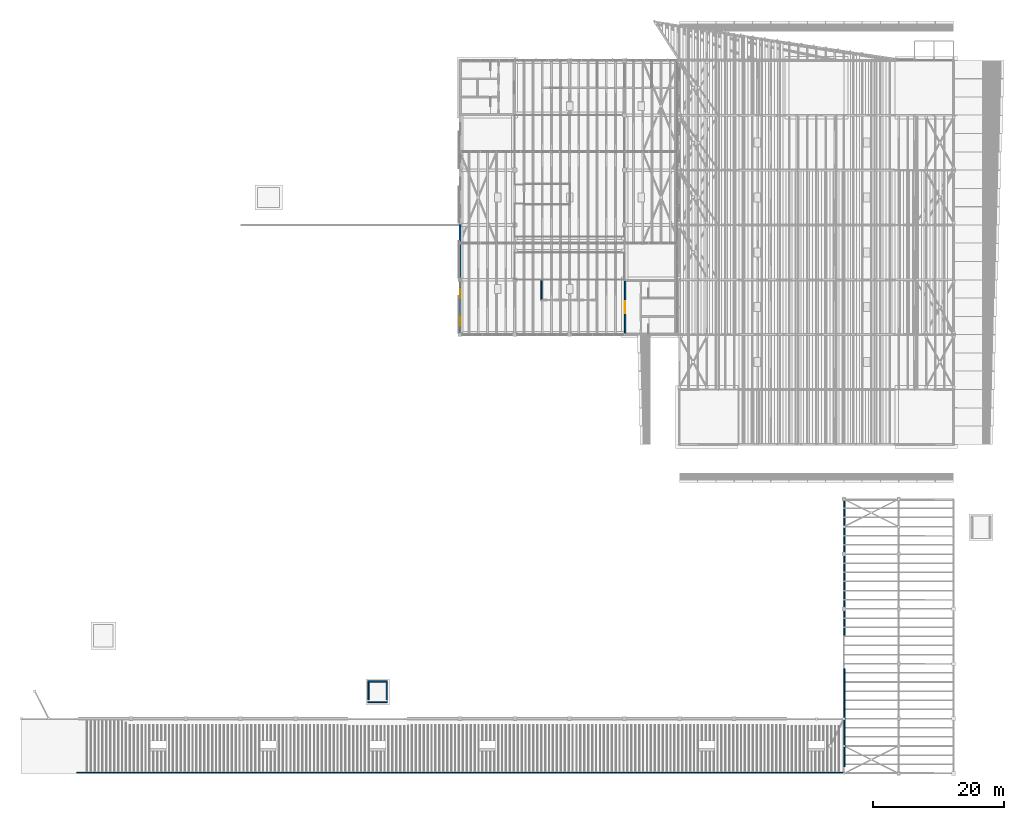
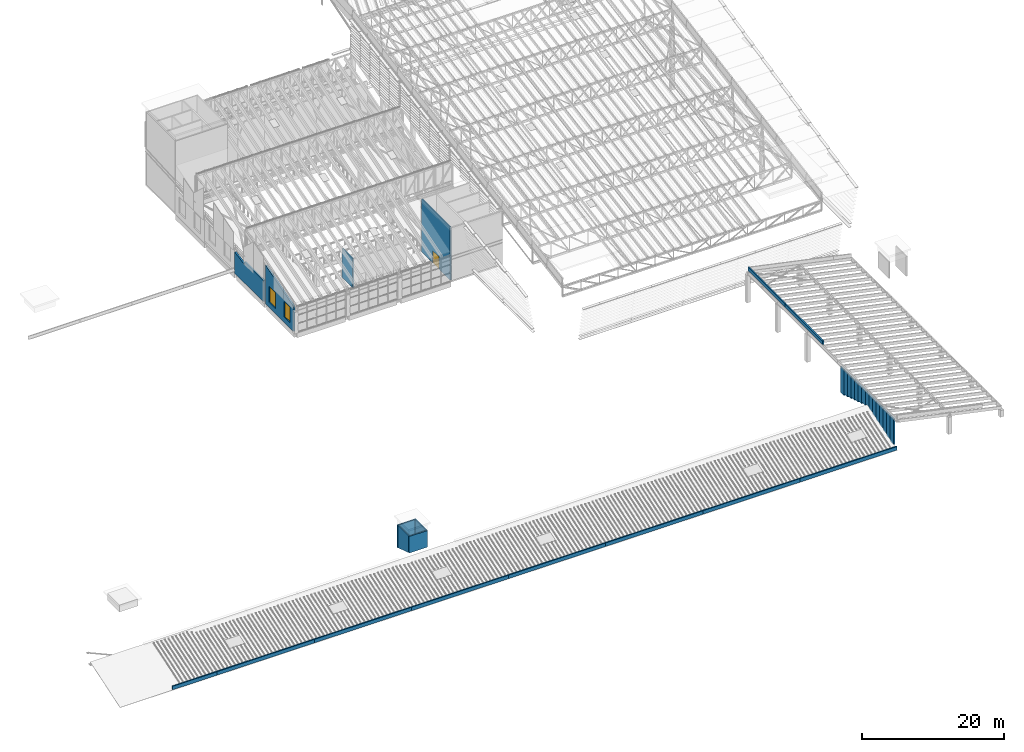
# One storey, part 63 of 91: 33 walls, 2 windows, 1 door, 3 openings.
"""IFC4 building model written with IfcOpenShell, lengths in metres."""

from ifc_helpers import new_model, si_unit, direction, frame, frame_2d, origin, place, context, subcontext, project, spatial, polyline, rectangle, outline, extrude, material, layer, layer_set, type_object, element, fill, save


model = new_model("IFC4")

# Units and contexts
model_context = context("Model", 3, precision=1e-05, world=origin(), true_north=direction((0.0, 1.0)))
body_context = subcontext(model_context, "Body", "Model", "MODEL_VIEW")
ifc_project = project(units=[si_unit("LENGTHUNIT", "METRE"), si_unit("AREAUNIT", "SQUARE_METRE"), si_unit("VOLUMEUNIT", "CUBIC_METRE"), si_unit("PLANEANGLEUNIT", "RADIAN"), si_unit("MASSUNIT", "GRAM", prefix="KILO")], contexts=[model_context])

# Site, building, storey
site_placement = place(None, origin())
site = spatial("IfcSite", under=ifc_project, at=site_placement, CompositionType="ELEMENT")
building_placement = place(site_placement, origin())
building = spatial("IfcBuilding", under=site, at=building_placement, Name="Almond Square Museum", CompositionType="ELEMENT")
storey_placement = place(building_placement, frame((0.0, 0.0, 30.0)))
storey = spatial("IfcBuildingStorey", under=building, at=storey_placement, Name="L05", CompositionType="ELEMENT", Elevation=30.0)

# Wall
ifc_material_1 = material(Name="Concrete C30/37", Category="concrete")
ifc_layer_1 = layer(ifc_material_1, 0.260009765625)
ifc_layer_set_1 = layer_set([ifc_layer_1], Name="Concrete C30/37")
wall_type_1 = type_object("IfcWallType", Name="Atrium gable wall 260 with timber fins", PredefinedType="SOLIDWALL", material=ifc_layer_set_1)
wall_1_placement = place(storey_placement, frame((73.199951171875, 75.89990234375, 0.0), z_axis=(0.0, 0.0, 1.0), x_axis=(0.0, 1.0, 0.0)))
element("IfcWall", 1, at=wall_1_placement, inside=storey, type_object=wall_type_1, Name="External wall W7 V2 L05 W03", PredefinedType="SOLIDWALL", context=body_context, shape_type="SweptSolid", body=[
    extrude(outline(polyline([(0.0, 0.0), (8.10009765625, 0.0), (8.10009765625, 3.643310546875), (5.301025390625, 3.137451171875), (5.299072265625, 3.643310546875), (0.0, 3.643310546875), (0.0, 0.0)])), frame((0.0, 0.1298828125, 0.0), z_axis=(0.0, -1.0, 0.0), x_axis=(1.0, 0.0, 0.0)), (0.0, 0.0, 1.0), 0.260009765625),
])

# Wall, openings, windows
wall_2_placement = place(storey_placement, frame((73.199951171875, 67.5, 0.0), z_axis=(0.0, 0.0, 1.0), x_axis=(0.0, 1.0, 0.0)))
wall_2 = element("IfcWall", 2, at=wall_2_placement, inside=storey, type_object=wall_type_1, Name="External wall W7 V2 L05 W04", PredefinedType="SOLIDWALL", context=body_context, shape_type="SweptSolid", body=[
    extrude(outline(polyline([(0.0, 0.0), (7.800048828125, 0.0), (7.800048828125, 6.639892578125), (0.0, 4.33154296875), (0.0, 0.0)])), frame((0.0, 0.1298828125, 0.0), z_axis=(0.0, -1.0, 0.0), x_axis=(1.0, 0.0, 0.0)), (0.0, 0.0, 1.0), 0.260009765625),
])
opening_1_placement = place(wall_2_placement, frame((0.89990234375, 0.0, 0.89990234375)))
opening_1 = element("IfcOpeningElement", 3, at=opening_1_placement, cuts=wall_2, Name="Opening W5011", PredefinedType="OPENING", context=body_context, shape_type="SweptSolid", body=[
    extrude(rectangle(XDim=1.800048828125, YDim=2.699951171875, at=frame_2d((0.89990234375, 1.35009765625))), frame((0.0, 0.139892578125, 0.0), z_axis=(0.0, -1.0, 0.0), x_axis=(1.0, 0.0, 0.0)), (0.0, 0.0, 1.0), 0.280029296875),
])
opening_2_placement = place(wall_2_placement, frame((5.10009765625, 0.0, 0.89990234375)))
opening_2 = element("IfcOpeningElement", 4, at=opening_2_placement, cuts=wall_2, Name="Opening W5012", PredefinedType="OPENING", context=body_context, shape_type="SweptSolid", body=[
    extrude(rectangle(XDim=1.800048828125, YDim=2.699951171875, at=frame_2d((0.89990234375, 1.35009765625))), frame((0.0, 0.139892578125, 0.0), z_axis=(0.0, -1.0, 0.0), x_axis=(1.0, 0.0, 0.0)), (0.0, 0.0, 1.0), 0.280029296875),
])
ifc_material_2 = material(Name="Aluminium frame and laminated glass", Category="aluminium")
window_type = type_object("IfcWindowType", Name="Fixed gallery window", PartitioningType="SINGLE_PANEL", PredefinedType="WINDOW", material=ifc_material_2)
window_1_placement = place(opening_1_placement, origin())
window_1 = element("IfcWindow", 5, at=window_1_placement, inside=storey, type_object=window_type, Name="Fixed gallery window W5011", OverallHeight=2.699951171875, OverallWidth=1.800048828125, PartitioningType="SINGLE_PANEL", PredefinedType="WINDOW", context=body_context, shape_type="SweptSolid", body=[
    extrude(rectangle(XDim=1.800048828125, YDim=2.699951171875, at=frame_2d((0.89990234375, 1.35009765625))), frame((0.0, -0.050048828125, 0.0), z_axis=(0.0, -1.0, 0.0), x_axis=(1.0, 0.0, 0.0)), (0.0, 0.0, 1.0), 0.06005859375),
])
fill(opening_1, window_1)
window_2_placement = place(opening_2_placement, origin())
window_2 = element("IfcWindow", 6, at=window_2_placement, inside=storey, type_object=window_type, Name="Fixed gallery window W5012", OverallHeight=2.699951171875, OverallWidth=1.800048828125, PartitioningType="SINGLE_PANEL", PredefinedType="WINDOW", context=body_context, shape_type="SweptSolid", body=[
    extrude(rectangle(XDim=1.800048828125, YDim=2.699951171875, at=frame_2d((0.89990234375, 1.35009765625))), frame((0.0, -0.050048828125, 0.0), z_axis=(0.0, -1.0, 0.0), x_axis=(1.0, 0.0, 0.0)), (0.0, 0.0, 1.0), 0.06005859375),
])
fill(opening_2, window_2)

# Walls
ifc_material_3 = material(Name="Concrete C40/50", Category="concrete")
ifc_layer_2 = layer(ifc_material_3, 0.199951171875)
ifc_layer_set_2 = layer_set([ifc_layer_2], Name="Concrete C40/50")
wall_type_2 = type_object("IfcWallType", Name="RC lift machine room wall 200 C40/50", PredefinedType="SOLIDWALL", material=ifc_layer_set_2)
wall_3_placement = place(storey_placement, frame((59.10009765625, 10.89990234375, 1.3173828125), z_axis=(0.0, 0.0, 1.0), x_axis=(1.0, 0.0, 0.0)))
element("IfcWall", 7, at=wall_3_placement, inside=storey, type_object=wall_type_2, Name="Lift machine room S2 south wall", PredefinedType="SOLIDWALL", context=body_context, shape_type="SweptSolid", body=[
    extrude(rectangle(XDim=3.0, YDim=0.199951171875, at=frame_2d((1.5, 0.0))), origin(), (0.0, 0.0, 1.0), 2.83251953125),
])
wall_4_placement = place(storey_placement, frame((59.10009765625, 14.10009765625, 0.277587890625), z_axis=(0.0, 0.0, 1.0), x_axis=(1.0, 0.0, 0.0)))
element("IfcWall", 8, at=wall_4_placement, inside=storey, type_object=wall_type_2, Name="Lift machine room S2 north wall", PredefinedType="SOLIDWALL", context=body_context, shape_type="SweptSolid", body=[
    extrude(rectangle(XDim=3.0, YDim=0.199951171875, at=frame_2d((1.5, 0.0))), origin(), (0.0, 0.0, 1.0), 3.872314453125),
])
for number, where, z_axis, x_axis, name in (
    (9, (59.199951171875, 11.0, 0.31005859375), (0.0, 0.0, 1.0), (0.0, 1.0, 0.0), "Lift machine room S2 west wall"),
    (10, (62.0, 11.0, 0.31005859375), (0.0, 0.0, 1.0), (0.0, 1.0, 0.0), "Lift machine room S2 east wall"),
):
    element("IfcWall", number, at=place(storey_placement, frame(where, z_axis=z_axis, x_axis=x_axis)), inside=storey, type_object=wall_type_2, Name=name, PredefinedType="SOLIDWALL", context=body_context, shape_type="SweptSolid", body=[
        extrude(outline(polyline([(0.0, 0.974365234375), (3.0, -0.000244140625), (3.0, 3.83984375), (0.0, 3.83984375), (0.0, 0.974365234375)])), frame((0.0, 0.10009765625, 0.0), z_axis=(0.0, -1.0, 0.0), x_axis=(1.0, 0.0, 0.0)), (0.0, 0.0, 1.0), 0.199951171875),
    ])

# Wall, opening, door
ifc_material_4 = material(Name="Concrete C40/50", Category="concrete")
ifc_layer_3 = layer(ifc_material_4, 0.199951171875)
ifc_layer_set_3 = layer_set([ifc_layer_3], Name="Concrete C40/50")
wall_type_3 = type_object("IfcWallType", Name="RC shear wall 200 C40/50", PredefinedType="SHEAR", material=ifc_layer_set_3)
wall_5_placement = place(storey_placement, frame((98.5, 67.39990234375, 0.0), z_axis=(0.0, 0.0, 1.0), x_axis=(0.0, 1.0, 0.0)))
wall_5 = element("IfcWall", 11, at=wall_5_placement, inside=storey, type_object=wall_type_3, Name="Core A2 west wall L05", PredefinedType="SHEAR", context=body_context, shape_type="SweptSolid", body=[
    extrude(rectangle(XDim=8.0, YDim=0.199951171875, at=frame_2d((4.0, 0.0))), origin(), (0.0, 0.0, 1.0), 9.0673828125),
])
opening_3_placement = place(wall_5_placement, frame((3.10009765625, 0.0, 0.0)))
opening_3 = element("IfcOpeningElement", 12, at=opening_3_placement, cuts=wall_5, Name="Opening D5109", PredefinedType="OPENING", context=body_context, shape_type="SweptSolid", body=[
    extrude(rectangle(XDim=1.800048828125, YDim=2.10009765625, at=frame_2d((0.89990234375, 1.050048828125))), frame((0.0, 0.10986328125, 0.0), z_axis=(0.0, -1.0, 0.0), x_axis=(1.0, 0.0, 0.0)), (0.0, 0.0, 1.0), 0.219970703125),
])
ifc_material_5 = material(Name="Steel", Category="steel")
door_type = type_object("IfcDoorType", Name="Fire door 1800 x 2100 FD60 double", OperationType="NOTDEFINED", PredefinedType="DOOR", material=ifc_material_5)
door_placement = place(opening_3_placement, origin())
door = element("IfcDoor", 13, at=door_placement, inside=storey, type_object=door_type, Name="L05 stair core A2 lobby door", OperationType="DOUBLE_DOOR_SINGLE_SWING", OverallHeight=2.10009765625, OverallWidth=1.800048828125, PredefinedType="DOOR", context=body_context, shape_type="SweptSolid", body=[
    extrude(rectangle(XDim=1.800048828125, YDim=2.10009765625, at=frame_2d((0.89990234375, 1.050048828125))), frame((0.0, 0.02490234375, 0.0), z_axis=(0.0, -1.0, 0.0), x_axis=(1.0, 0.0, 0.0)), (0.0, 0.0, 1.0), 0.050048828125),
])
fill(opening_3, door)

# Walls
wall_6_placement = place(storey_placement, frame((85.699951171875, 72.60009765625, 0.0), z_axis=(0.0, 0.0, 1.0), x_axis=(0.0, 1.0, 0.0)))
element("IfcWall", 14, at=wall_6_placement, inside=storey, type_object=wall_type_3, Name="Atrium lift shaft west wall L05", PredefinedType="SHEAR", context=body_context, shape_type="SweptSolid", body=[
    extrude(rectangle(XDim=3.0, YDim=0.199951171875, at=frame_2d((1.5, 0.0))), origin(), (0.0, 0.0, 1.0), 5.0),
])
ifc_material_6 = material(Name="Concrete C30/37", Category="concrete")
ifc_layer_4 = layer(ifc_material_6, 0.199951171875)
ifc_layer_set_4 = layer_set([ifc_layer_4], Name="Concrete C30/37")
wall_type_4 = type_object("IfcWallType", Name="Roof parapet 200", PredefinedType="PARAPET", material=ifc_layer_set_4)
for number, where, z_axis, x_axis, name in (
    (15, (132.10009765625, 21.0, 5.330078125), (0.0, 0.0, 1.0), (0.0, 1.0, 0.0), "Roof parapet 10"),
    (16, (132.10009765625, 31.5, 5.330078125), (0.0, 0.0, 1.0), (0.0, 1.0, 0.0), "Roof parapet 11"),
):
    element("IfcWall", number, at=place(storey_placement, frame(where, z_axis=z_axis, x_axis=x_axis)), inside=storey, type_object=wall_type_4, Name=name, PredefinedType="PARAPET", context=body_context, shape_type="SweptSolid", body=[
        extrude(rectangle(XDim=10.5, YDim=0.199951171875, at=frame_2d((5.25, 0.0))), origin(), (0.0, 0.0, 1.0), 0.60498046875),
    ])
wall_7_placement = place(storey_placement, frame((116.206298828125, 0.10009765625, 0.027587890625), z_axis=(0.0, 0.0, 1.0), x_axis=(1.0, 0.0, 0.0)))
element("IfcWall", 17, at=wall_7_placement, inside=storey, type_object=wall_type_4, Name="Roof parapet 20", PredefinedType="PARAPET", context=body_context, shape_type="SweptSolid", body=[
    extrude(rectangle(XDim=15.74365234375, YDim=0.199951171875, at=frame_2d((7.871826171875, 0.0))), origin(), (0.0, 0.0, 1.0), 0.60498046875),
])
wall_8_placement = place(storey_placement, frame((100.46240234375, 0.10009765625, 0.027587890625), z_axis=(0.0, 0.0, 1.0), x_axis=(1.0, 0.0, 0.0)))
element("IfcWall", 18, at=wall_8_placement, inside=storey, type_object=wall_type_4, Name="Roof parapet 21", PredefinedType="PARAPET", context=body_context, shape_type="SweptSolid", body=[
    extrude(rectangle(XDim=15.743896484375, YDim=0.199951171875, at=frame_2d((7.8720703125, 0.0))), origin(), (0.0, 0.0, 1.0), 0.60498046875),
])
for number, where, z_axis, x_axis, name in (
    (19, (84.71875, 0.10009765625, 0.027587890625), (0.0, 0.0, 1.0), (1.0, 0.0, 0.0), "Roof parapet 22"),
    (20, (68.97509765625, 0.10009765625, 0.027587890625), (0.0, 0.0, 1.0), (1.0, 0.0, 0.0), "Roof parapet 23"),
):
    element("IfcWall", number, at=place(storey_placement, frame(where, z_axis=z_axis, x_axis=x_axis)), inside=storey, type_object=wall_type_4, Name=name, PredefinedType="PARAPET", context=body_context, shape_type="SweptSolid", body=[
        extrude(rectangle(XDim=15.74365234375, YDim=0.199951171875, at=frame_2d((7.871826171875, 0.0))), origin(), (0.0, 0.0, 1.0), 0.60498046875),
    ])
wall_9_placement = place(storey_placement, frame((53.231201171875, 0.10009765625, 0.027587890625), z_axis=(0.0, 0.0, 1.0), x_axis=(1.0, 0.0, 0.0)))
element("IfcWall", 21, at=wall_9_placement, inside=storey, type_object=wall_type_4, Name="Roof parapet 24", PredefinedType="PARAPET", context=body_context, shape_type="SweptSolid", body=[
    extrude(rectangle(XDim=15.743896484375, YDim=0.199951171875, at=frame_2d((7.8720703125, 0.0))), origin(), (0.0, 0.0, 1.0), 0.60498046875),
])
for number, where, z_axis, x_axis, name in (
    (22, (37.487548828125, 0.10009765625, 0.027587890625), (0.0, 0.0, 1.0), (1.0, 0.0, 0.0), "Roof parapet 25"),
    (23, (21.743896484375, 0.10009765625, 0.027587890625), (0.0, 0.0, 1.0), (1.0, 0.0, 0.0), "Roof parapet 26"),
):
    element("IfcWall", number, at=place(storey_placement, frame(where, z_axis=z_axis, x_axis=x_axis)), inside=storey, type_object=wall_type_4, Name=name, PredefinedType="PARAPET", context=body_context, shape_type="SweptSolid", body=[
        extrude(rectangle(XDim=15.74365234375, YDim=0.199951171875, at=frame_2d((7.871826171875, 0.0))), origin(), (0.0, 0.0, 1.0), 0.60498046875),
    ])
wall_10_placement = place(storey_placement, frame((14.501708984375, 0.10009765625, 0.027587890625), z_axis=(0.0, 0.0, 1.0), x_axis=(1.0, 0.0, 0.0)))
element("IfcWall", 24, at=wall_10_placement, inside=storey, type_object=wall_type_4, Name="Roof parapet 27", PredefinedType="PARAPET", context=body_context, shape_type="SweptSolid", body=[
    extrude(rectangle(XDim=7.2421875, YDim=0.199951171875, at=frame_2d((3.62109375, 0.0))), origin(), (0.0, 0.0, 1.0), 0.60498046875),
])
ifc_material_7 = material(Name="Concrete C30/37", Category="concrete")
ifc_layer_5 = layer(ifc_material_7, 0.219970703125)
ifc_layer_set_5 = layer_set([ifc_layer_5], Name="Concrete C30/37")
wall_type_5 = type_object("IfcWallType", Name="Stucco panel wall 220 with insulation", PredefinedType="SOLIDWALL", material=ifc_layer_set_5)
wall_11_placement = place(storey_placement, frame((132.090087890625, 1.0, 0.31494140625), z_axis=(0.0, 0.0, 1.0), x_axis=(0.0, 1.0, 0.0)))
element("IfcWall", 25, at=wall_11_placement, inside=storey, type_object=wall_type_5, Name="Roof step wall 2", PredefinedType="SOLIDWALL", context=body_context, shape_type="SweptSolid", body=[
    extrude(rectangle(XDim=1.0, YDim=0.219970703125, at=frame_2d((0.5, 0.0))), origin(), (0.0, 0.0, 1.0), 4.3603515625),
])
wall_12_placement = place(storey_placement, frame((132.090087890625, 2.0, 0.639892578125), z_axis=(0.0, 0.0, 1.0), x_axis=(0.0, 1.0, 0.0)))
element("IfcWall", 26, at=wall_12_placement, inside=storey, type_object=wall_type_5, Name="Roof step wall 3", PredefinedType="SOLIDWALL", context=body_context, shape_type="SweptSolid", body=[
    extrude(rectangle(XDim=1.0, YDim=0.219970703125, at=frame_2d((0.5, 0.0))), origin(), (0.0, 0.0, 1.0), 4.035400390625),
])
wall_13_placement = place(storey_placement, frame((132.090087890625, 3.0, 0.96484375), z_axis=(0.0, 0.0, 1.0), x_axis=(0.0, 1.0, 0.0)))
element("IfcWall", 27, at=wall_13_placement, inside=storey, type_object=wall_type_5, Name="Roof step wall 4", PredefinedType="SOLIDWALL", context=body_context, shape_type="SweptSolid", body=[
    extrude(rectangle(XDim=1.0, YDim=0.219970703125, at=frame_2d((0.5, 0.0))), origin(), (0.0, 0.0, 1.0), 3.71044921875),
])
wall_14_placement = place(storey_placement, frame((132.090087890625, 4.0, 1.289794921875), z_axis=(0.0, 0.0, 1.0), x_axis=(0.0, 1.0, 0.0)))
element("IfcWall", 28, at=wall_14_placement, inside=storey, type_object=wall_type_5, Name="Roof step wall 5", PredefinedType="SOLIDWALL", context=body_context, shape_type="SweptSolid", body=[
    extrude(rectangle(XDim=1.0, YDim=0.219970703125, at=frame_2d((0.5, 0.0))), origin(), (0.0, 0.0, 1.0), 3.385498046875),
])
wall_15_placement = place(storey_placement, frame((132.090087890625, 5.0, 1.614501953125), z_axis=(0.0, 0.0, 1.0), x_axis=(0.0, 1.0, 0.0)))
element("IfcWall", 29, at=wall_15_placement, inside=storey, type_object=wall_type_5, Name="Roof step wall 6", PredefinedType="SOLIDWALL", context=body_context, shape_type="SweptSolid", body=[
    extrude(rectangle(XDim=1.0, YDim=0.219970703125, at=frame_2d((0.5, 0.0))), origin(), (0.0, 0.0, 1.0), 3.060791015625),
])
wall_16_placement = place(storey_placement, frame((132.090087890625, 6.0, 1.939453125), z_axis=(0.0, 0.0, 1.0), x_axis=(0.0, 1.0, 0.0)))
element("IfcWall", 30, at=wall_16_placement, inside=storey, type_object=wall_type_5, Name="Roof step wall 7", PredefinedType="SOLIDWALL", context=body_context, shape_type="SweptSolid", body=[
    extrude(rectangle(XDim=1.0, YDim=0.219970703125, at=frame_2d((0.5, 0.0))), origin(), (0.0, 0.0, 1.0), 2.73583984375),
])
wall_17_placement = place(storey_placement, frame((132.090087890625, 7.0, 2.264404296875), z_axis=(0.0, 0.0, 1.0), x_axis=(0.0, 1.0, 0.0)))
element("IfcWall", 31, at=wall_17_placement, inside=storey, type_object=wall_type_5, Name="Roof step wall 8", PredefinedType="SOLIDWALL", context=body_context, shape_type="SweptSolid", body=[
    extrude(rectangle(XDim=1.0, YDim=0.219970703125, at=frame_2d((0.5, 0.0))), origin(), (0.0, 0.0, 1.0), 2.410888671875),
])
wall_18_placement = place(storey_placement, frame((132.090087890625, 8.0, 2.5244140625), z_axis=(0.0, 0.0, 1.0), x_axis=(0.0, 1.0, 0.0)))
element("IfcWall", 32, at=wall_18_placement, inside=storey, type_object=wall_type_5, Name="Roof step wall 9", PredefinedType="SOLIDWALL", context=body_context, shape_type="SweptSolid", body=[
    extrude(rectangle(XDim=1.0, YDim=0.219970703125, at=frame_2d((0.5, 0.0))), origin(), (0.0, 0.0, 1.0), 2.15087890625),
])
wall_19_placement = place(storey_placement, frame((132.090087890625, 9.0, 2.199462890625), z_axis=(0.0, 0.0, 1.0), x_axis=(0.0, 1.0, 0.0)))
element("IfcWall", 33, at=wall_19_placement, inside=storey, type_object=wall_type_5, Name="Roof step wall 10", PredefinedType="SOLIDWALL", context=body_context, shape_type="SweptSolid", body=[
    extrude(rectangle(XDim=1.0, YDim=0.219970703125, at=frame_2d((0.5, 0.0))), origin(), (0.0, 0.0, 1.0), 2.475830078125),
])
wall_20_placement = place(storey_placement, frame((132.090087890625, 10.0, 1.87451171875), z_axis=(0.0, 0.0, 1.0), x_axis=(0.0, 1.0, 0.0)))
element("IfcWall", 34, at=wall_20_placement, inside=storey, type_object=wall_type_5, Name="Roof step wall 11", PredefinedType="SOLIDWALL", context=body_context, shape_type="SweptSolid", body=[
    extrude(rectangle(XDim=1.0, YDim=0.219970703125, at=frame_2d((0.5, 0.0))), origin(), (0.0, 0.0, 1.0), 2.80078125),
])
wall_21_placement = place(storey_placement, frame((132.090087890625, 11.0, 1.549560546875), z_axis=(0.0, 0.0, 1.0), x_axis=(0.0, 1.0, 0.0)))
element("IfcWall", 35, at=wall_21_placement, inside=storey, type_object=wall_type_5, Name="Roof step wall 12", PredefinedType="SOLIDWALL", context=body_context, shape_type="SweptSolid", body=[
    extrude(rectangle(XDim=1.0, YDim=0.219970703125, at=frame_2d((0.5, 0.0))), origin(), (0.0, 0.0, 1.0), 3.125732421875),
])
wall_22_placement = place(storey_placement, frame((132.090087890625, 12.0, 1.224609375), z_axis=(0.0, 0.0, 1.0), x_axis=(0.0, 1.0, 0.0)))
element("IfcWall", 36, at=wall_22_placement, inside=storey, type_object=wall_type_5, Name="Roof step wall 13", PredefinedType="SOLIDWALL", context=body_context, shape_type="SweptSolid", body=[
    extrude(rectangle(XDim=1.0, YDim=0.219970703125, at=frame_2d((0.5, 0.0))), origin(), (0.0, 0.0, 1.0), 3.45068359375),
])
wall_23_placement = place(storey_placement, frame((132.090087890625, 13.0, 0.899658203125), z_axis=(0.0, 0.0, 1.0), x_axis=(0.0, 1.0, 0.0)))
element("IfcWall", 37, at=wall_23_placement, inside=storey, type_object=wall_type_5, Name="Roof step wall 14", PredefinedType="SOLIDWALL", context=body_context, shape_type="SweptSolid", body=[
    extrude(rectangle(XDim=1.0, YDim=0.219970703125, at=frame_2d((0.5, 0.0))), origin(), (0.0, 0.0, 1.0), 3.775634765625),
])
wall_24_placement = place(storey_placement, frame((132.090087890625, 14.0, 0.574951171875), z_axis=(0.0, 0.0, 1.0), x_axis=(0.0, 1.0, 0.0)))
element("IfcWall", 38, at=wall_24_placement, inside=storey, type_object=wall_type_5, Name="Roof step wall 15", PredefinedType="SOLIDWALL", context=body_context, shape_type="SweptSolid", body=[
    extrude(rectangle(XDim=1.0, YDim=0.219970703125, at=frame_2d((0.5, 0.0))), origin(), (0.0, 0.0, 1.0), 4.100341796875),
])
wall_25_placement = place(storey_placement, frame((132.090087890625, 15.0, 0.25), z_axis=(0.0, 0.0, 1.0), x_axis=(0.0, 1.0, 0.0)))
element("IfcWall", 39, at=wall_25_placement, inside=storey, type_object=wall_type_5, Name="Roof step wall 16", PredefinedType="SOLIDWALL", context=body_context, shape_type="SweptSolid", body=[
    extrude(rectangle(XDim=1.0, YDim=0.219970703125, at=frame_2d((0.5, 0.0))), origin(), (0.0, 0.0, 1.0), 4.42529296875),
])

save(model, "model.ifc")
